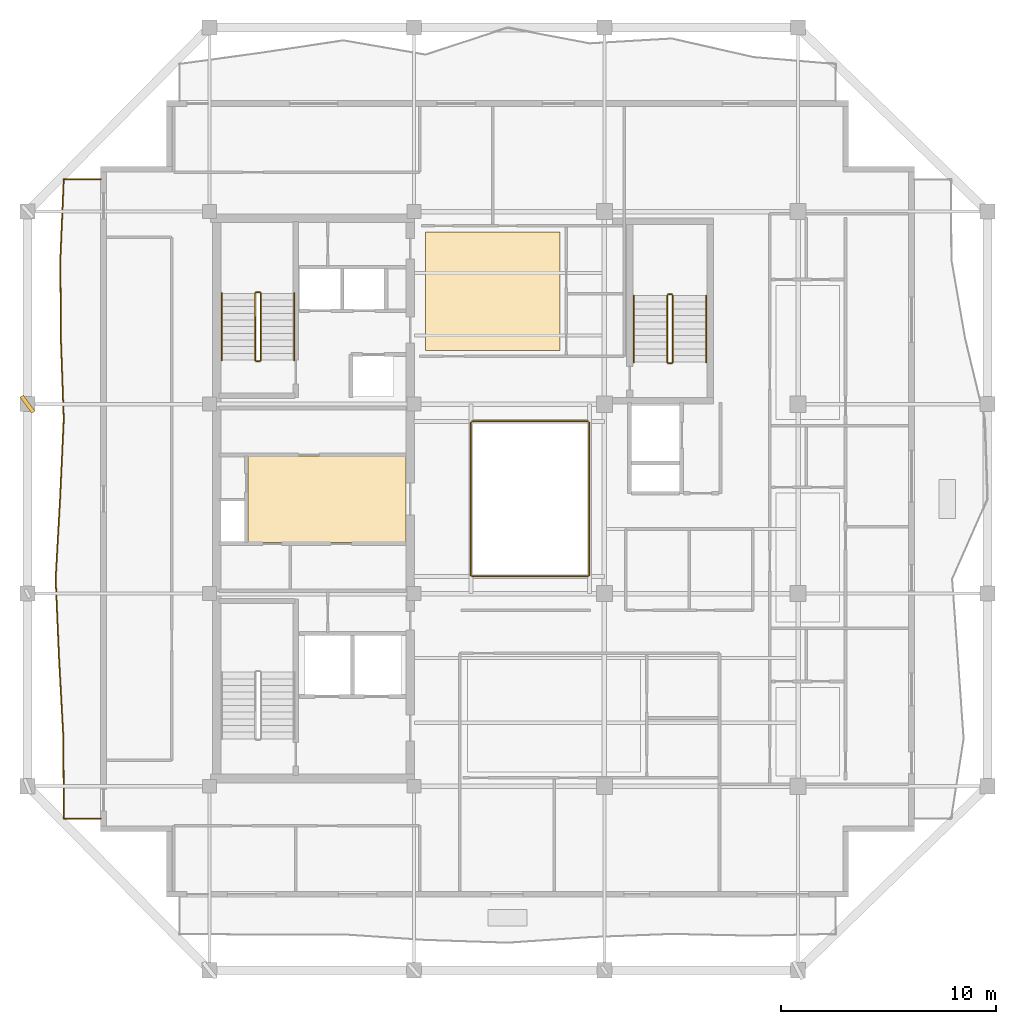
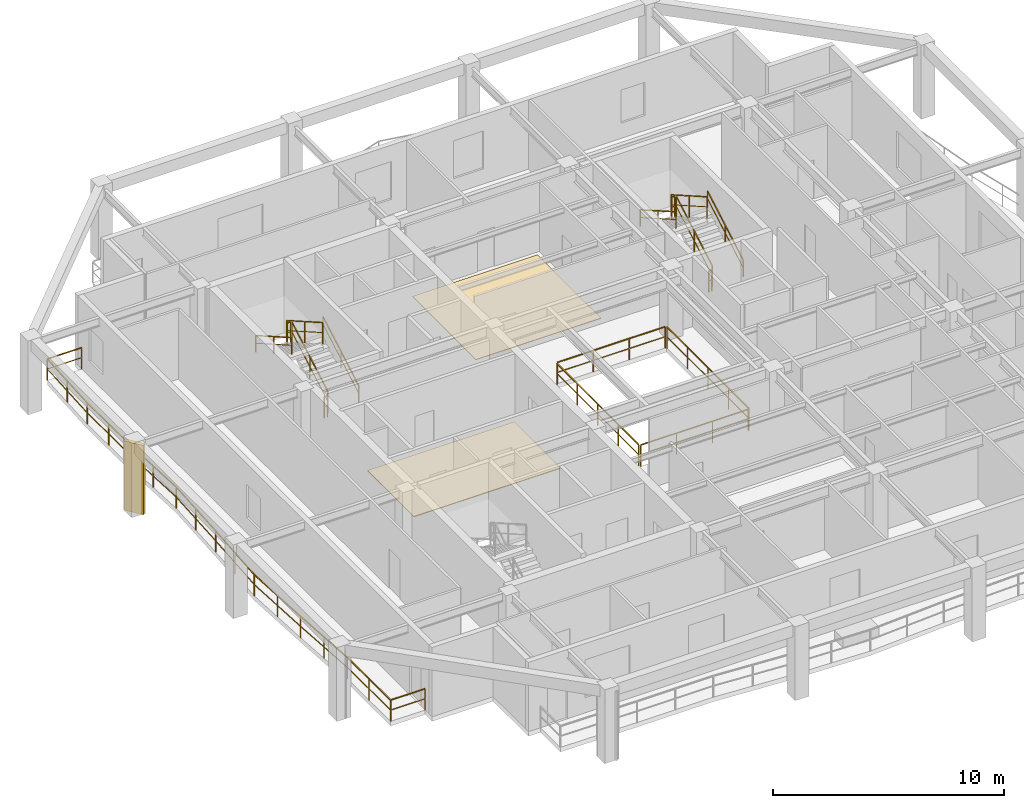
# One storey, part 8 of 10: 17 railings, 2 coverings, 1 shading device.
"""IFC4 building model written with IfcOpenShell, lengths in metres."""

import ifcopenshell
import ifcopenshell.guid

model = None  # the IFC model being written
_history = None  # IfcOwnerHistory: only IFC2X3 demands one
_inside = {}  # id of a spatial element -> (the spatial element, [elements in it])
_under = {}  # id of a project, library or spatial element -> (it, [spatial elements below it])
_declared = {}  # id of a project -> (the project, [libraries it declares])
_typed = {}  # id of a type object -> (the type object, [elements of that type])
_made_of = {}  # id of a material, layer set ... -> (it, [elements and type objects made of it])


def new_model(schema):
    """Start an empty IFC model of exactly this schema.

    Asked for "IFC4X3", IfcOpenShell would pick the latest addendum, in which some entities
    have other attributes; the version numbers below select the first issue.
    IFC2X3 requires an IfcOwnerHistory on every rooted entity: one is made here for all.
    """
    global model, _history
    if schema == "IFC4X3":
        model = ifcopenshell.file(schema_version=(4, 3, 0, 0))
    else:
        model = ifcopenshell.file(schema=schema)
    _inside.clear()
    _under.clear()
    _declared.clear()
    _typed.clear()
    _made_of.clear()
    _history = None
    if model.schema == "IFC2X3":
        org = make("IfcOrganization", Name="unknown")
        user = make(
            "IfcPersonAndOrganization",
            ThePerson=make("IfcPerson", FamilyName="unknown"),
            TheOrganization=org,
        )
        app = make(
            "IfcApplication",
            ApplicationDeveloper=org,
            Version="unknown",
            ApplicationFullName="unknown",
            ApplicationIdentifier="unknown",
        )
        _history = make(
            "IfcOwnerHistory",
            OwningUser=user,
            OwningApplication=app,
            ChangeAction="ADDED",
            CreationDate=0,
        )
    return model


def make(cls, **values):
    """One entity of the class cls with the attributes given. An attribute that is None is left unset."""
    return model.create_entity(
        cls, **{name: value for name, value in values.items() if value is not None}
    )


def rooted(cls, **values):
    """An entity with a GlobalId (a new one), such as an element, a storey or a relation."""
    return make(cls, GlobalId=ifcopenshell.guid.new(), OwnerHistory=_history, **values)


def si_unit(unit_type, name, prefix=None):
    """IfcSIUnit, for example si_unit("LENGTHUNIT", "METRE", prefix="MILLI")."""
    return make("IfcSIUnit", UnitType=unit_type, Prefix=prefix, Name=name)


def assignment(units):
    """IfcUnitAssignment: the units of a project."""
    return None if units is None else make("IfcUnitAssignment", Units=units)


def point(xyz):
    """IfcCartesianPoint."""
    return None if xyz is None else make("IfcCartesianPoint", Coordinates=xyz)


def direction(xyz):
    """IfcDirection."""
    return None if xyz is None else make("IfcDirection", DirectionRatios=xyz)


def frame(location, z_axis=None, x_axis=None):
    """IfcAxis2Placement3D, a coordinate frame: its origin and axes. An axis left out is left unset."""
    return make(
        "IfcAxis2Placement3D",
        Location=point(location),
        Axis=direction(z_axis),
        RefDirection=direction(x_axis),
    )


def frame_2d(location, x_axis=None):
    """IfcAxis2Placement2D, a coordinate frame in the plane: its origin and x axis."""
    return make(
        "IfcAxis2Placement2D", Location=point(location), RefDirection=direction(x_axis)
    )


def origin():
    """The frame at (0, 0, 0) with its axes left unset."""
    return frame((0.0, 0.0, 0.0))


def origin_2d():
    """The frame at (0, 0) in the plane with its x axis left unset."""
    return frame_2d((0.0, 0.0))


def place(relative_to, where):
    """IfcLocalPlacement: puts the frame where relative to a parent placement (None: the world)."""
    return make(
        "IfcLocalPlacement", PlacementRelTo=relative_to, RelativePlacement=where
    )


def context(
    kind, dimensions, precision=None, world=None, true_north=None, identifier=None
):
    """IfcGeometricRepresentationContext, for example the 3D "Model" context."""
    return make(
        "IfcGeometricRepresentationContext",
        ContextIdentifier=identifier,
        ContextType=kind,
        CoordinateSpaceDimension=dimensions,
        Precision=precision,
        WorldCoordinateSystem=world,
        TrueNorth=true_north,
    )


def subcontext(parent, identifier, kind, view, scale=None):
    """IfcGeometricRepresentationSubContext, for example "Body" below "Model"."""
    return make(
        "IfcGeometricRepresentationSubContext",
        ContextIdentifier=identifier,
        ContextType=kind,
        ParentContext=parent,
        TargetScale=scale,
        TargetView=view,
    )


def project(units=None, contexts=None):
    """IfcProject with its units and contexts."""
    return rooted(
        "IfcProject",
        Name="project",
        RepresentationContexts=contexts,
        UnitsInContext=assignment(units),
    )


def spatial(cls, under=None, at=None, **own):
    """A site, building, storey or space (cls), placed at a placement, below another one or the project."""
    s = rooted(cls, ObjectPlacement=at, **own)
    if under is not None:
        _under.setdefault(under.id(), (under, []))[1].append(s)
    return s


def polyline(points):
    """IfcPolyline through the points."""
    return make("IfcPolyline", Points=[point(p) for p in points])


def profile(cls, at=None, kind="AREA", **sizes):
    """A parametric profile (cls). Its sizes go by their IFC names, for example OverallWidth=200.0."""
    return make(cls, ProfileType=kind, Position=at, **sizes)


def rectangle(**sizes):
    """IfcRectangleProfileDef."""
    return profile("IfcRectangleProfileDef", **sizes)


def outline(outer, holes=None, kind="AREA"):
    """IfcArbitraryClosedProfileDef: a profile drawn as a closed curve; with holes, ...WithVoids."""
    if holes is None:
        return make("IfcArbitraryClosedProfileDef", ProfileType=kind, OuterCurve=outer)
    return make(
        "IfcArbitraryProfileDefWithVoids",
        ProfileType=kind,
        OuterCurve=outer,
        InnerCurves=holes,
    )


def extrude(swept, where, along, depth):
    """IfcExtrudedAreaSolid: the profile swept, set in the frame where, extruded along a direction by depth."""
    return make(
        "IfcExtrudedAreaSolid",
        SweptArea=swept,
        Position=where,
        ExtrudedDirection=direction(along),
        Depth=depth,
    )


def shape(context_of_items, identifier, shape_type, items):
    """IfcShapeRepresentation: the items that make up one representation, for example the "Body"."""
    return make(
        "IfcShapeRepresentation",
        ContextOfItems=context_of_items,
        RepresentationIdentifier=identifier,
        RepresentationType=shape_type,
        Items=items,
    )


def material(Name=None, Category=None):
    """IfcMaterial."""
    return make("IfcMaterial", Name=Name, Category=Category)


def layer(
    of_material, thickness, ventilated=None, Name=None, Category=None, Priority=None
):
    """IfcMaterialLayer: one layer of a wall or slab, of a material (None: an air gap)."""
    return make(
        "IfcMaterialLayer",
        Material=of_material,
        LayerThickness=thickness,
        IsVentilated=ventilated,
        Name=Name,
        Category=Category,
        Priority=Priority,
    )


def layer_set(layers, Name=None):
    """IfcMaterialLayerSet."""
    return make("IfcMaterialLayerSet", MaterialLayers=layers, LayerSetName=Name)


def made_of(thing, what):
    """Note that an element or type object is made of a material, layer set ...; save() writes the relation."""
    if what is not None:
        _made_of.setdefault(what.id(), (what, []))[1].append(thing)
    return thing


def type_object(cls, material=None, **own):
    """A type object (cls), such as IfcWallType, which elements share."""
    return made_of(rooted(cls, **own), material)


def element(
    cls,
    number,
    at=None,
    inside=None,
    cuts=None,
    type_object=None,
    material=None,
    context=None,
    identifier="Body",
    shape_type=None,
    held_by="IfcProductDefinitionShape",
    body=None,
    shapes=None,
    **own,
):
    """One element of the class cls, such as IfcWall. Its Tag is "e" and its number.

    at: its placement. inside: the storey or other place that contains it. cuts: it is an
    opening in that element (IfcRelVoidsElement). A single representation is given by context,
    identifier, shape_type and body (its items); several are given by shapes. held_by: the class
    of the entity that holds the representations. save() writes the other relations.
    """
    e = rooted(cls, Tag="e%d" % number, ObjectPlacement=at, **own)
    if body is not None:
        shapes = [shape(context, identifier, shape_type, body)]
    if shapes is not None:
        e.Representation = make(held_by, Representations=shapes)
    if inside is not None:
        _inside.setdefault(inside.id(), (inside, []))[1].append(e)
    if cuts is not None:
        rooted(
            "IfcRelVoidsElement", RelatingBuildingElement=cuts, RelatedOpeningElement=e
        )
    if type_object is not None:
        _typed.setdefault(type_object.id(), (type_object, []))[1].append(e)
    return made_of(e, material)


def aggregate(whole, parts):
    """IfcRelAggregates: a whole, such as a stair, and the parts it consists of."""
    return rooted("IfcRelAggregates", RelatingObject=whole, RelatedObjects=parts)


def save(model, path):
    """Write the relations noted so far, then the file.

    IfcRelAggregates (storeys below a building ...), IfcRelContainedInSpatialStructure (elements
    in a storey), IfcRelDefinesByType, IfcRelAssociatesMaterial and IfcRelDeclares: one each for
    every whole, place, type object, material and project.
    """
    for whole, parts in _under.values():
        aggregate(whole, parts)
    for where, things in _inside.values():
        rooted(
            "IfcRelContainedInSpatialStructure",
            RelatedElements=things,
            RelatingStructure=where,
        )
    for kind, things in _typed.values():
        rooted("IfcRelDefinesByType", RelatedObjects=things, RelatingType=kind)
    for what, things in _made_of.values():
        rooted("IfcRelAssociatesMaterial", RelatedObjects=things, RelatingMaterial=what)
    for by, libraries in _declared.values():
        rooted("IfcRelDeclares", RelatingContext=by, RelatedDefinitions=libraries)
    model.write(path)


model = new_model("IFC4")

# Units and contexts
model_context = context("Model", 3, precision=1e-05, world=origin(), true_north=direction((0.0, 1.0)))
body_context = subcontext(model_context, "Body", "Model", "MODEL_VIEW")
ifc_project = project(units=[si_unit("LENGTHUNIT", "METRE"), si_unit("AREAUNIT", "SQUARE_METRE"), si_unit("VOLUMEUNIT", "CUBIC_METRE"), si_unit("PLANEANGLEUNIT", "RADIAN"), si_unit("MASSUNIT", "GRAM", prefix="KILO")], contexts=[model_context])

# Site, building, storey
site_placement = place(None, origin())
site = spatial("IfcSite", under=ifc_project, at=site_placement, CompositionType="ELEMENT")
building_placement = place(site_placement, origin())
building = spatial("IfcBuilding", under=site, at=building_placement, Name="Kundavana Baori Tower", CompositionType="ELEMENT")
storey_placement = place(building_placement, frame((0.0, 0.0, 288.199951171875)))
storey = spatial("IfcBuildingStorey", under=building, at=storey_placement, Name="L71", CompositionType="ELEMENT", Elevation=288.199951171875)

# Coverings
ifc_material_1 = material(Name="Honed Kota Stone and Terrazzo Flooring", Category="masonry")
ifc_layer_1 = layer(ifc_material_1, 0.0400390625, Name="COV-FLR-TERR-40")
ifc_layer_set_1 = layer_set([ifc_layer_1], Name="Honed Kota Stone and Terrazzo Flooring")
covering_type_1 = type_object("IfcCoveringType", Name="COV-FLR-TERR-40", PredefinedType="FLOORING", material=ifc_layer_set_1)
covering_1_placement = place(storey_placement, origin())
element("IfcCovering", 1, at=covering_1_placement, inside=storey, type_object=covering_type_1, Name="L71 Core Lift Lobby Kota Stone Flooring", PredefinedType="FLOORING", context=body_context, shape_type="SweptSolid", body=[
    extrude(outline(polyline([(17.25, 26.580078125), (24.580078125, 26.580078125), (24.580078125, 30.60009765625), (17.25, 30.60009765625), (17.25, 26.580078125)])), origin(), (0.0, 0.0, 1.0), 0.0400390625),
])
ifc_material_2 = material(Name="Honed Kota Stone and Terrazzo Flooring", Category="masonry")
ifc_layer_2 = layer(ifc_material_2, 0.030029296875, Name="COV-INT-FLR")
ifc_layer_set_2 = layer_set([ifc_layer_2], Name="Honed Kota Stone and Terrazzo Flooring")
covering_type_2 = type_object("IfcCoveringType", Name="COV-INT-FLR", PredefinedType="FLOORING", material=ifc_layer_set_2)
covering_2_placement = place(storey_placement, origin())
element("IfcCovering", 2, at=covering_2_placement, inside=storey, type_object=covering_type_2, Name="L71 Room Finished Stone Flooring 2", PredefinedType="FLOORING", context=body_context, shape_type="SweptSolid", body=[
    extrude(outline(polyline([(25.5, 35.5), (31.75, 35.5), (31.75, 41.010009765625), (25.5, 41.010009765625), (25.5, 35.5)])), origin(), (0.0, 0.0, 1.0), 0.030029296875),
])

# Railings
ifc_material_3 = material(Name="Architectural Patinated Bronze Metalwork")
railing_type_1 = type_object("IfcRailingType", Name="RL-BAL-1150", PredefinedType="BALUSTRADE", material=ifc_material_3)
railing_1_placement = place(storey_placement, frame((10.39990234375, 13.75, 0.0)))
element("IfcRailing", 3, at=railing_1_placement, inside=storey, type_object=railing_type_1, Name="L71 Loggia Balcony Balustrade W", PredefinedType="BALUSTRADE", context=body_context, shape_type="SweptSolid", body=[
    extrude(rectangle(XDim=0.048095703125, YDim=0.048095703125, at=origin_2d()), frame((0.0, 0.0, 1.1259765625), z_axis=(-1.0, 0.0, 0.0), x_axis=(0.0, -1.0, 0.0)), (0.0, 0.0, 1.0), 1.719970703125),
    extrude(rectangle(XDim=0.03125, YDim=0.03125, at=origin_2d()), frame((0.0, 0.0, 0.597900390625), z_axis=(-1.0, 0.0, 0.0), x_axis=(0.0, -1.0, 0.0)), (0.0, 0.0, 1.0), 1.719970703125),
    extrude(rectangle(XDim=0.048095703125, YDim=0.048095703125, at=origin_2d()), frame((-1.719970703125, 0.0, 1.1259765625), z_axis=(-0.00427515167, 0.999990861497, 0.0), x_axis=(-0.999990861497, -0.00427515167, 0.0)), (0.0, 0.0, 1.0), 3.7119140625),
    extrude(rectangle(XDim=0.03125, YDim=0.03125, at=origin_2d()), frame((-1.719970703125, 0.0, 0.597900390625), z_axis=(-0.00427515167, 0.999990861497, 0.0), x_axis=(-0.999990861497, -0.00427515167, 0.0)), (0.0, 0.0, 1.0), 3.7119140625),
    extrude(rectangle(XDim=0.048095703125, YDim=0.048095703125, at=origin_2d()), frame((-1.73583984375, 3.7119140625, 1.1259765625), z_axis=(-0.054360949315, 0.998521350392, 0.0), x_axis=(-0.998521350392, -0.054360949315, 0.0)), (0.0, 0.0, 1.0), 3.71875),
    extrude(rectangle(XDim=0.03125, YDim=0.03125, at=origin_2d()), frame((-1.73583984375, 3.7119140625, 0.597900390625), z_axis=(-0.054360949315, 0.998521350392, 0.0), x_axis=(-0.998521350392, -0.054360949315, 0.0)), (0.0, 0.0, 1.0), 3.71875),
    extrude(rectangle(XDim=0.048095703125, YDim=0.048095703125, at=origin_2d()), frame((-1.93798828125, 7.425048828125, 1.1259765625), z_axis=(-0.042767252478, 0.999085062502, 0.0), x_axis=(-0.999085062502, -0.042767252478, 0.0)), (0.0, 0.0, 1.0), 3.71630859375),
    extrude(rectangle(XDim=0.03125, YDim=0.03125, at=origin_2d()), frame((-1.93798828125, 7.425048828125, 0.597900390625), z_axis=(-0.042767252478, 0.999085062502, 0.0), x_axis=(-0.999085062502, -0.042767252478, 0.0)), (0.0, 0.0, 1.0), 3.71630859375),
    extrude(rectangle(XDim=0.048095703125, YDim=0.048095703125, at=origin_2d()), frame((-2.096923828125, 11.137939453125, 1.1259765625), z_axis=(0.055684593954, 0.998448409281, 0.0), x_axis=(-0.998448409281, 0.055684593954, 0.0)), (0.0, 0.0, 1.0), 3.718017578125),
    extrude(rectangle(XDim=0.03125, YDim=0.03125, at=origin_2d()), frame((-2.096923828125, 11.137939453125, 0.597900390625), z_axis=(0.055684593954, 0.998448409281, 0.0), x_axis=(-0.998448409281, 0.055684593954, 0.0)), (0.0, 0.0, 1.0), 3.718017578125),
    extrude(rectangle(XDim=0.048095703125, YDim=0.048095703125, at=origin_2d()), frame((-1.889892578125, 14.85009765625, 1.1259765625), z_axis=(0.045729537281, 0.998953857503, 0.0), x_axis=(-0.998953857503, 0.045729537281, 0.0)), (0.0, 0.0, 1.0), 3.7158203125),
    extrude(rectangle(XDim=0.03125, YDim=0.03125, at=origin_2d()), frame((-1.889892578125, 14.85009765625, 0.597900390625), z_axis=(0.045729537281, 0.998953857503, 0.0), x_axis=(-0.998953857503, 0.045729537281, 0.0)), (0.0, 0.0, 1.0), 3.7158203125),
    extrude(rectangle(XDim=0.048095703125, YDim=0.048095703125, at=origin_2d()), frame((-1.719970703125, 18.56201171875, 1.1259765625), z_axis=(-0.035747783994, 0.999360843709, 0.0), x_axis=(-0.999360843709, -0.035747783994, 0.0)), (0.0, 0.0, 1.0), 3.71533203125),
    extrude(rectangle(XDim=0.03125, YDim=0.03125, at=origin_2d()), frame((-1.719970703125, 18.56201171875, 0.597900390625), z_axis=(-0.035747783994, 0.999360843709, 0.0), x_axis=(-0.999360843709, -0.035747783994, 0.0)), (0.0, 0.0, 1.0), 3.71533203125),
    extrude(rectangle(XDim=0.048095703125, YDim=0.048095703125, at=origin_2d()), frame((-1.852783203125, 22.27490234375, 1.1259765625), z_axis=(-0.006772150574, 0.999977068725, 0.0), x_axis=(-0.999977068725, -0.006772150574, 0.0)), (0.0, 0.0, 1.0), 3.713134765625),
    extrude(rectangle(XDim=0.03125, YDim=0.03125, at=origin_2d()), frame((-1.852783203125, 22.27490234375, 0.597900390625), z_axis=(-0.006772150574, 0.999977068725, 0.0), x_axis=(-0.999977068725, -0.006772150574, 0.0)), (0.0, 0.0, 1.0), 3.713134765625),
    extrude(rectangle(XDim=0.048095703125, YDim=0.048095703125, at=origin_2d()), frame((-1.8779296875, 25.988037109375, 1.1259765625), z_axis=(0.04251611224, 0.999095781294, 0.0), x_axis=(-0.999095781294, 0.04251611224, 0.0)), (0.0, 0.0, 1.0), 3.71533203125),
    extrude(rectangle(XDim=0.03125, YDim=0.03125, at=origin_2d()), frame((-1.8779296875, 25.988037109375, 0.597900390625), z_axis=(0.04251611224, 0.999095781294, 0.0), x_axis=(-0.999095781294, 0.04251611224, 0.0)), (0.0, 0.0, 1.0), 3.71533203125),
    extrude(rectangle(XDim=0.048095703125, YDim=0.048095703125, at=origin_2d()), frame((-1.719970703125, 29.699951171875, 1.1259765625), z_axis=(1.0, 0.0, 0.0), x_axis=(0.0, 1.0, 0.0)), (0.0, 0.0, 1.0), 1.719970703125),
    extrude(rectangle(XDim=0.03125, YDim=0.03125, at=origin_2d()), frame((-1.719970703125, 29.699951171875, 0.597900390625), z_axis=(1.0, 0.0, 0.0), x_axis=(0.0, 1.0, 0.0)), (0.0, 0.0, 1.0), 1.719970703125),
    extrude(rectangle(XDim=0.0419921875, YDim=0.0419921875, at=origin_2d()), origin(), (0.0, 0.0, 1.0), 1.101806640625),
    extrude(rectangle(XDim=0.0419921875, YDim=0.0419921875, at=origin_2d()), frame((-1.719970703125, 0.0, 0.0)), (0.0, 0.0, 1.0), 1.101806640625),
    extrude(rectangle(XDim=0.0419921875, YDim=0.0419921875, at=origin_2d()), frame((-1.72802734375, 1.85595703125, 0.0)), (0.0, 0.0, 1.0), 1.101806640625),
    extrude(rectangle(XDim=0.0419921875, YDim=0.0419921875, at=origin_2d()), frame((-1.73583984375, 3.7119140625, 0.0)), (0.0, 0.0, 1.0), 1.101806640625),
    extrude(rectangle(XDim=0.0419921875, YDim=0.0419921875, at=origin_2d()), frame((-1.8369140625, 5.568359375, 0.0)), (0.0, 0.0, 1.0), 1.101806640625),
    extrude(rectangle(XDim=0.0419921875, YDim=0.0419921875, at=origin_2d()), frame((-1.93798828125, 7.425048828125, 0.0)), (0.0, 0.0, 1.0), 1.101806640625),
    extrude(rectangle(XDim=0.0419921875, YDim=0.0419921875, at=origin_2d()), frame((-2.017578125, 9.281494140625, 0.0)), (0.0, 0.0, 1.0), 1.101806640625),
    extrude(rectangle(XDim=0.0419921875, YDim=0.0419921875, at=origin_2d()), frame((-2.096923828125, 11.137939453125, 0.0)), (0.0, 0.0, 1.0), 1.101806640625),
    extrude(rectangle(XDim=0.0419921875, YDim=0.0419921875, at=origin_2d()), frame((-1.993408203125, 12.994140625, 0.0)), (0.0, 0.0, 1.0), 1.101806640625),
    extrude(rectangle(XDim=0.0419921875, YDim=0.0419921875, at=origin_2d()), frame((-1.889892578125, 14.85009765625, 0.0)), (0.0, 0.0, 1.0), 1.101806640625),
    extrude(rectangle(XDim=0.0419921875, YDim=0.0419921875, at=origin_2d()), frame((-1.804931640625, 16.7060546875, 0.0)), (0.0, 0.0, 1.0), 1.101806640625),
    extrude(rectangle(XDim=0.0419921875, YDim=0.0419921875, at=origin_2d()), frame((-1.719970703125, 18.56201171875, 0.0)), (0.0, 0.0, 1.0), 1.101806640625),
    extrude(rectangle(XDim=0.0419921875, YDim=0.0419921875, at=origin_2d()), frame((-1.786376953125, 20.41845703125, 0.0)), (0.0, 0.0, 1.0), 1.101806640625),
    extrude(rectangle(XDim=0.0419921875, YDim=0.0419921875, at=origin_2d()), frame((-1.852783203125, 22.27490234375, 0.0)), (0.0, 0.0, 1.0), 1.101806640625),
    extrude(rectangle(XDim=0.0419921875, YDim=0.0419921875, at=origin_2d()), frame((-1.865234375, 24.13134765625, 0.0)), (0.0, 0.0, 1.0), 1.101806640625),
    extrude(rectangle(XDim=0.0419921875, YDim=0.0419921875, at=origin_2d()), frame((-1.8779296875, 25.988037109375, 0.0)), (0.0, 0.0, 1.0), 1.101806640625),
    extrude(rectangle(XDim=0.0419921875, YDim=0.0419921875, at=origin_2d()), frame((-1.798828125, 27.843994140625, 0.0)), (0.0, 0.0, 1.0), 1.101806640625),
    extrude(rectangle(XDim=0.0419921875, YDim=0.0419921875, at=origin_2d()), frame((-1.719970703125, 29.699951171875, 0.0)), (0.0, 0.0, 1.0), 1.101806640625),
    extrude(rectangle(XDim=0.0419921875, YDim=0.0419921875, at=origin_2d()), frame((0.0, 29.699951171875, 0.0)), (0.0, 0.0, 1.0), 1.101806640625),
])
ifc_material_4 = material(Name="Architectural Patinated Bronze Metalwork")
railing_type_2 = type_object("IfcRailingType", Name="RL-GRD-1150", PredefinedType="GUARDRAIL", material=ifc_material_4)
railing_2_placement = place(storey_placement, frame((17.840087890625, 35.050048828125, 0.17724609375)))
element("IfcRailing", 4, at=railing_2_placement, inside=storey, type_object=railing_type_2, Name="L71 ST2 stair guard 1", PredefinedType="GUARDRAIL", context=body_context, shape_type="SweptSolid", body=[
    extrude(rectangle(XDim=0.048095703125, YDim=0.048095703125, at=origin_2d()), frame((0.0, 0.0, 1.1259765625), z_axis=(0.0, 0.868079009454, 0.496426060301), x_axis=(-1.0, 0.0, 0.0)), (0.0, 0.0, 1.0), 3.571044921875),
    extrude(rectangle(XDim=0.03125, YDim=0.03125, at=origin_2d()), frame((0.0, 0.0, 0.597900390625), z_axis=(0.0, 0.868079009454, 0.496426060301), x_axis=(-1.0, 0.0, 0.0)), (0.0, 0.0, 1.0), 3.571044921875),
    extrude(rectangle(XDim=0.0419921875, YDim=0.0419921875, at=origin_2d()), origin(), (0.0, 0.0, 1.0), 1.101806640625),
    extrude(rectangle(XDim=0.0419921875, YDim=0.0419921875, at=origin_2d()), frame((0.0, 1.5498046875, 0.88623046875)), (0.0, 0.0, 1.0), 1.101806640625),
    extrude(rectangle(XDim=0.0419921875, YDim=0.0419921875, at=origin_2d()), frame((0.0, 3.099853515625, 1.772705078125)), (0.0, 0.0, 1.0), 1.101806640625),
])
railing_3_placement = place(storey_placement, frame((17.7900390625, 38.199951171875, 1.949951171875)))
element("IfcRailing", 5, at=railing_3_placement, inside=storey, type_object=railing_type_2, Name="L71 ST2 stair guard 2", PredefinedType="GUARDRAIL", context=body_context, shape_type="SweptSolid", body=[
    extrude(rectangle(XDim=0.048095703125, YDim=0.048095703125, at=origin_2d()), frame((0.0, 0.0, 1.1259765625), z_axis=(-1.0, 0.0, 0.0), x_axis=(0.0, -1.0, 0.0)), (0.0, 0.0, 1.0), 0.16015625),
    extrude(rectangle(XDim=0.03125, YDim=0.03125, at=origin_2d()), frame((0.0, 0.0, 0.597900390625), z_axis=(-1.0, 0.0, 0.0), x_axis=(0.0, -1.0, 0.0)), (0.0, 0.0, 1.0), 0.16015625),
    extrude(rectangle(XDim=0.0419921875, YDim=0.0419921875, at=origin_2d()), origin(), (0.0, 0.0, 1.0), 1.101806640625),
    extrude(rectangle(XDim=0.0419921875, YDim=0.0419921875, at=origin_2d()), frame((-0.16015625, 0.0, 0.0)), (0.0, 0.0, 1.0), 1.101806640625),
])
railing_4_placement = place(storey_placement, frame((17.580078125, 38.14990234375, 2.12744140625)))
element("IfcRailing", 6, at=railing_4_placement, inside=storey, type_object=railing_type_2, Name="L71 ST2 stair guard 3", PredefinedType="GUARDRAIL", context=body_context, shape_type="SweptSolid", body=[
    extrude(rectangle(XDim=0.048095703125, YDim=0.048095703125, at=origin_2d()), frame((0.0, 0.0, 1.1259765625), z_axis=(0.0, -0.868079009454, 0.496426060301), x_axis=(1.0, 0.0, 0.0)), (0.0, 0.0, 1.0), 3.571044921875),
    extrude(rectangle(XDim=0.03125, YDim=0.03125, at=origin_2d()), frame((0.0, 0.0, 0.597900390625), z_axis=(0.0, -0.868079009454, 0.496426060301), x_axis=(1.0, 0.0, 0.0)), (0.0, 0.0, 1.0), 3.571044921875),
    extrude(rectangle(XDim=0.0419921875, YDim=0.0419921875, at=origin_2d()), origin(), (0.0, 0.0, 1.0), 1.101806640625),
    extrude(rectangle(XDim=0.0419921875, YDim=0.0419921875, at=origin_2d()), frame((0.0, -1.5498046875, 0.88623046875)), (0.0, 0.0, 1.0), 1.101806640625),
    extrude(rectangle(XDim=0.0419921875, YDim=0.0419921875, at=origin_2d()), frame((0.0, -3.099853515625, 1.772705078125)), (0.0, 0.0, 1.0), 1.101806640625),
])
railing_5_placement = place(storey_placement, frame((17.7900390625, 35.0, 0.0)))
element("IfcRailing", 7, at=railing_5_placement, inside=storey, type_object=railing_type_2, Name="L71 ST2 stair guard 4", PredefinedType="GUARDRAIL", context=body_context, shape_type="SweptSolid", body=[
    extrude(rectangle(XDim=0.048095703125, YDim=0.048095703125, at=origin_2d()), frame((0.0, 0.0, 1.1259765625), z_axis=(-1.0, 0.0, 0.0), x_axis=(0.0, -1.0, 0.0)), (0.0, 0.0, 1.0), 0.16015625),
    extrude(rectangle(XDim=0.03125, YDim=0.03125, at=origin_2d()), frame((0.0, 0.0, 0.597900390625), z_axis=(-1.0, 0.0, 0.0), x_axis=(0.0, -1.0, 0.0)), (0.0, 0.0, 1.0), 0.16015625),
    extrude(rectangle(XDim=0.0419921875, YDim=0.0419921875, at=origin_2d()), origin(), (0.0, 0.0, 1.0), 1.101806640625),
    extrude(rectangle(XDim=0.0419921875, YDim=0.0419921875, at=origin_2d()), frame((-0.16015625, 0.0, 0.0)), (0.0, 0.0, 1.0), 1.101806640625),
])
railing_6_placement = place(storey_placement, frame((36.97998046875, 34.949951171875, 0.17724609375)))
element("IfcRailing", 8, at=railing_6_placement, inside=storey, type_object=railing_type_2, Name="L71 ST3 stair guard 1", PredefinedType="GUARDRAIL", context=body_context, shape_type="SweptSolid", body=[
    extrude(rectangle(XDim=0.048095703125, YDim=0.048095703125, at=origin_2d()), frame((0.0, 0.0, 1.1259765625), z_axis=(0.0, 0.868095856688, 0.496396599103), x_axis=(-1.0, 0.0, 0.0)), (0.0, 0.0, 1.0), 3.571044921875),
    extrude(rectangle(XDim=0.03125, YDim=0.03125, at=origin_2d()), frame((0.0, 0.0, 0.597900390625), z_axis=(0.0, 0.868095856688, 0.496396599103), x_axis=(-1.0, 0.0, 0.0)), (0.0, 0.0, 1.0), 3.571044921875),
    extrude(rectangle(XDim=0.0419921875, YDim=0.0419921875, at=origin_2d()), origin(), (0.0, 0.0, 1.0), 1.101806640625),
    extrude(rectangle(XDim=0.0419921875, YDim=0.0419921875, at=origin_2d()), frame((0.0, 1.550048828125, 0.88623046875)), (0.0, 0.0, 1.0), 1.101806640625),
    extrude(rectangle(XDim=0.0419921875, YDim=0.0419921875, at=origin_2d()), frame((0.0, 3.10009765625, 1.772705078125)), (0.0, 0.0, 1.0), 1.101806640625),
])
railing_7_placement = place(storey_placement, frame((36.929931640625, 38.10009765625, 1.949951171875)))
element("IfcRailing", 9, at=railing_7_placement, inside=storey, type_object=railing_type_2, Name="L71 ST3 stair guard 2", PredefinedType="GUARDRAIL", context=body_context, shape_type="SweptSolid", body=[
    extrude(rectangle(XDim=0.048095703125, YDim=0.048095703125, at=origin_2d()), frame((0.0, 0.0, 1.1259765625), z_axis=(-1.0, 0.0, 0.0), x_axis=(0.0, -1.0, 0.0)), (0.0, 0.0, 1.0), 0.159912109375),
    extrude(rectangle(XDim=0.03125, YDim=0.03125, at=origin_2d()), frame((0.0, 0.0, 0.597900390625), z_axis=(-1.0, 0.0, 0.0), x_axis=(0.0, -1.0, 0.0)), (0.0, 0.0, 1.0), 0.159912109375),
    extrude(rectangle(XDim=0.0419921875, YDim=0.0419921875, at=origin_2d()), origin(), (0.0, 0.0, 1.0), 1.101806640625),
    extrude(rectangle(XDim=0.0419921875, YDim=0.0419921875, at=origin_2d()), frame((-0.159912109375, 0.0, 0.0)), (0.0, 0.0, 1.0), 1.101806640625),
])
railing_8_placement = place(storey_placement, frame((36.719970703125, 38.050048828125, 2.12744140625)))
element("IfcRailing", 10, at=railing_8_placement, inside=storey, type_object=railing_type_2, Name="L71 ST3 stair guard 3", PredefinedType="GUARDRAIL", context=body_context, shape_type="SweptSolid", body=[
    extrude(rectangle(XDim=0.048095703125, YDim=0.048095703125, at=origin_2d()), frame((0.0, 0.0, 1.1259765625), z_axis=(0.0, -0.868095856688, 0.496396599103), x_axis=(1.0, 0.0, 0.0)), (0.0, 0.0, 1.0), 3.571044921875),
    extrude(rectangle(XDim=0.03125, YDim=0.03125, at=origin_2d()), frame((0.0, 0.0, 0.597900390625), z_axis=(0.0, -0.868095856688, 0.496396599103), x_axis=(1.0, 0.0, 0.0)), (0.0, 0.0, 1.0), 3.571044921875),
    extrude(rectangle(XDim=0.0419921875, YDim=0.0419921875, at=origin_2d()), origin(), (0.0, 0.0, 1.0), 1.101806640625),
    extrude(rectangle(XDim=0.0419921875, YDim=0.0419921875, at=origin_2d()), frame((0.0, -1.550048828125, 0.88623046875)), (0.0, 0.0, 1.0), 1.101806640625),
    extrude(rectangle(XDim=0.0419921875, YDim=0.0419921875, at=origin_2d()), frame((0.0, -3.10009765625, 1.772705078125)), (0.0, 0.0, 1.0), 1.101806640625),
])
railing_9_placement = place(storey_placement, frame((36.929931640625, 34.89990234375, 0.0)))
element("IfcRailing", 11, at=railing_9_placement, inside=storey, type_object=railing_type_2, Name="L71 ST3 stair guard 4", PredefinedType="GUARDRAIL", context=body_context, shape_type="SweptSolid", body=[
    extrude(rectangle(XDim=0.048095703125, YDim=0.048095703125, at=origin_2d()), frame((0.0, 0.0, 1.1259765625), z_axis=(-1.0, 0.0, 0.0), x_axis=(0.0, -1.0, 0.0)), (0.0, 0.0, 1.0), 0.159912109375),
    extrude(rectangle(XDim=0.03125, YDim=0.03125, at=origin_2d()), frame((0.0, 0.0, 0.597900390625), z_axis=(-1.0, 0.0, 0.0), x_axis=(0.0, -1.0, 0.0)), (0.0, 0.0, 1.0), 0.159912109375),
    extrude(rectangle(XDim=0.0419921875, YDim=0.0419921875, at=origin_2d()), origin(), (0.0, 0.0, 1.0), 1.101806640625),
    extrude(rectangle(XDim=0.0419921875, YDim=0.0419921875, at=origin_2d()), frame((-0.159912109375, 0.0, 0.0)), (0.0, 0.0, 1.0), 1.101806640625),
])
railing_10_placement = place(storey_placement, frame((27.659912109375, 25.0, 0.0)))
element("IfcRailing", 12, at=railing_10_placement, inside=storey, type_object=railing_type_2, Name="L71 Atrium Void Perimeter Guardrail S", PredefinedType="GUARDRAIL", context=body_context, shape_type="SweptSolid", body=[
    extrude(rectangle(XDim=0.048095703125, YDim=0.048095703125, at=origin_2d()), frame((0.0, 0.0, 1.1259765625), z_axis=(1.0, 0.0, 0.0), x_axis=(0.0, 1.0, 0.0)), (0.0, 0.0, 1.0), 5.380126953125),
    extrude(rectangle(XDim=0.03125, YDim=0.03125, at=origin_2d()), frame((0.0, 0.0, 0.597900390625), z_axis=(1.0, 0.0, 0.0), x_axis=(0.0, 1.0, 0.0)), (0.0, 0.0, 1.0), 5.380126953125),
    extrude(rectangle(XDim=0.0419921875, YDim=0.0419921875, at=origin_2d()), origin(), (0.0, 0.0, 1.0), 1.101806640625),
    extrude(rectangle(XDim=0.0419921875, YDim=0.0419921875, at=origin_2d()), frame((1.79345703125, 0.0, 0.0)), (0.0, 0.0, 1.0), 1.101806640625),
    extrude(rectangle(XDim=0.0419921875, YDim=0.0419921875, at=origin_2d()), frame((3.586669921875, 0.0, 0.0)), (0.0, 0.0, 1.0), 1.101806640625),
    extrude(rectangle(XDim=0.0419921875, YDim=0.0419921875, at=origin_2d()), frame((5.380126953125, 0.0, 0.0)), (0.0, 0.0, 1.0), 1.101806640625),
])
railing_11_placement = place(storey_placement, frame((33.10009765625, 25.06005859375, 0.0)))
element("IfcRailing", 13, at=railing_11_placement, inside=storey, type_object=railing_type_2, Name="L71 Atrium Void Perimeter Guardrail E", PredefinedType="GUARDRAIL", context=body_context, shape_type="SweptSolid", body=[
    extrude(rectangle(XDim=0.048095703125, YDim=0.048095703125, at=origin_2d()), frame((0.0, 0.0, 1.1259765625), z_axis=(0.0, 1.0, 0.0), x_axis=(-1.0, 0.0, 0.0)), (0.0, 0.0, 1.0), 7.079833984375),
    extrude(rectangle(XDim=0.03125, YDim=0.03125, at=origin_2d()), frame((0.0, 0.0, 0.597900390625), z_axis=(0.0, 1.0, 0.0), x_axis=(-1.0, 0.0, 0.0)), (0.0, 0.0, 1.0), 7.079833984375),
    extrude(rectangle(XDim=0.0419921875, YDim=0.0419921875, at=origin_2d()), origin(), (0.0, 0.0, 1.0), 1.101806640625),
    extrude(rectangle(XDim=0.0419921875, YDim=0.0419921875, at=origin_2d()), frame((0.0, 1.77001953125, 0.0)), (0.0, 0.0, 1.0), 1.101806640625),
    extrude(rectangle(XDim=0.0419921875, YDim=0.0419921875, at=origin_2d()), frame((0.0, 3.5400390625, 0.0)), (0.0, 0.0, 1.0), 1.101806640625),
    extrude(rectangle(XDim=0.0419921875, YDim=0.0419921875, at=origin_2d()), frame((0.0, 5.309814453125, 0.0)), (0.0, 0.0, 1.0), 1.101806640625),
    extrude(rectangle(XDim=0.0419921875, YDim=0.0419921875, at=origin_2d()), frame((0.0, 7.079833984375, 0.0)), (0.0, 0.0, 1.0), 1.101806640625),
])
railing_12_placement = place(storey_placement, frame((33.0400390625, 32.199951171875, 0.0)))
element("IfcRailing", 14, at=railing_12_placement, inside=storey, type_object=railing_type_2, Name="L71 Atrium Void Perimeter Guardrail N", PredefinedType="GUARDRAIL", context=body_context, shape_type="SweptSolid", body=[
    extrude(rectangle(XDim=0.048095703125, YDim=0.048095703125, at=origin_2d()), frame((0.0, 0.0, 1.1259765625), z_axis=(-1.0, 0.0, 0.0), x_axis=(0.0, -1.0, 0.0)), (0.0, 0.0, 1.0), 5.380126953125),
    extrude(rectangle(XDim=0.03125, YDim=0.03125, at=origin_2d()), frame((0.0, 0.0, 0.597900390625), z_axis=(-1.0, 0.0, 0.0), x_axis=(0.0, -1.0, 0.0)), (0.0, 0.0, 1.0), 5.380126953125),
    extrude(rectangle(XDim=0.0419921875, YDim=0.0419921875, at=origin_2d()), origin(), (0.0, 0.0, 1.0), 1.101806640625),
    extrude(rectangle(XDim=0.0419921875, YDim=0.0419921875, at=origin_2d()), frame((-1.79345703125, 0.0, 0.0)), (0.0, 0.0, 1.0), 1.101806640625),
    extrude(rectangle(XDim=0.0419921875, YDim=0.0419921875, at=origin_2d()), frame((-3.586669921875, 0.0, 0.0)), (0.0, 0.0, 1.0), 1.101806640625),
    extrude(rectangle(XDim=0.0419921875, YDim=0.0419921875, at=origin_2d()), frame((-5.380126953125, 0.0, 0.0)), (0.0, 0.0, 1.0), 1.101806640625),
])
railing_13_placement = place(storey_placement, frame((27.60009765625, 32.139892578125, 0.0)))
element("IfcRailing", 15, at=railing_13_placement, inside=storey, type_object=railing_type_2, Name="L71 Atrium Void Perimeter Guardrail W", PredefinedType="GUARDRAIL", context=body_context, shape_type="SweptSolid", body=[
    extrude(rectangle(XDim=0.048095703125, YDim=0.048095703125, at=origin_2d()), frame((0.0, 0.0, 1.1259765625), z_axis=(0.0, -1.0, 0.0), x_axis=(1.0, 0.0, 0.0)), (0.0, 0.0, 1.0), 7.079833984375),
    extrude(rectangle(XDim=0.03125, YDim=0.03125, at=origin_2d()), frame((0.0, 0.0, 0.597900390625), z_axis=(0.0, -1.0, 0.0), x_axis=(1.0, 0.0, 0.0)), (0.0, 0.0, 1.0), 7.079833984375),
    extrude(rectangle(XDim=0.0419921875, YDim=0.0419921875, at=origin_2d()), origin(), (0.0, 0.0, 1.0), 1.101806640625),
    extrude(rectangle(XDim=0.0419921875, YDim=0.0419921875, at=origin_2d()), frame((0.0, -1.77001953125, 0.0)), (0.0, 0.0, 1.0), 1.101806640625),
    extrude(rectangle(XDim=0.0419921875, YDim=0.0419921875, at=origin_2d()), frame((0.0, -3.5400390625, 0.0)), (0.0, 0.0, 1.0), 1.101806640625),
    extrude(rectangle(XDim=0.0419921875, YDim=0.0419921875, at=origin_2d()), frame((0.0, -5.309814453125, 0.0)), (0.0, 0.0, 1.0), 1.101806640625),
    extrude(rectangle(XDim=0.0419921875, YDim=0.0419921875, at=origin_2d()), frame((0.0, -7.079833984375, 0.0)), (0.0, 0.0, 1.0), 1.101806640625),
])
ifc_material_5 = material(Name="Architectural Patinated Bronze Metalwork")
railing_type_3 = type_object("IfcRailingType", Name="RL-HND-920", PredefinedType="HANDRAIL", material=ifc_material_5)
railing_14_placement = place(storey_placement, frame((19.389892578125, 35.050048828125, 0.17724609375)))
element("IfcRailing", 16, at=railing_14_placement, inside=storey, type_object=railing_type_3, Name="L71 ST2 stair handrail 1", PredefinedType="HANDRAIL", context=body_context, shape_type="SweptSolid", body=[
    extrude(rectangle(XDim=0.048095703125, YDim=0.048095703125, at=origin_2d()), frame((0.0, 0.0, 0.8759765625), z_axis=(0.0, 0.868079009454, 0.496426060301), x_axis=(-1.0, 0.0, 0.0)), (0.0, 0.0, 1.0), 3.571044921875),
    extrude(rectangle(XDim=0.03125, YDim=0.03125, at=origin_2d()), frame((0.0, 0.0, 0.468017578125), z_axis=(0.0, 0.868079009454, 0.496426060301), x_axis=(-1.0, 0.0, 0.0)), (0.0, 0.0, 1.0), 3.571044921875),
    extrude(rectangle(XDim=0.0419921875, YDim=0.0419921875, at=origin_2d()), origin(), (0.0, 0.0, 1.0), 0.851806640625),
    extrude(rectangle(XDim=0.0419921875, YDim=0.0419921875, at=origin_2d()), frame((0.0, 1.5498046875, 0.88623046875)), (0.0, 0.0, 1.0), 0.851806640625),
    extrude(rectangle(XDim=0.0419921875, YDim=0.0419921875, at=origin_2d()), frame((0.0, 3.099853515625, 1.772705078125)), (0.0, 0.0, 1.0), 0.851806640625),
])
railing_15_placement = place(storey_placement, frame((16.030029296875, 38.14990234375, 2.12744140625)))
element("IfcRailing", 17, at=railing_15_placement, inside=storey, type_object=railing_type_3, Name="L71 ST2 stair handrail 2", PredefinedType="HANDRAIL", context=body_context, shape_type="SweptSolid", body=[
    extrude(rectangle(XDim=0.048095703125, YDim=0.048095703125, at=origin_2d()), frame((0.0, 0.0, 0.8759765625), z_axis=(0.0, -0.868079009454, 0.496426060301), x_axis=(1.0, 0.0, 0.0)), (0.0, 0.0, 1.0), 3.571044921875),
    extrude(rectangle(XDim=0.03125, YDim=0.03125, at=origin_2d()), frame((0.0, 0.0, 0.468017578125), z_axis=(0.0, -0.868079009454, 0.496426060301), x_axis=(1.0, 0.0, 0.0)), (0.0, 0.0, 1.0), 3.571044921875),
    extrude(rectangle(XDim=0.0419921875, YDim=0.0419921875, at=origin_2d()), origin(), (0.0, 0.0, 1.0), 0.851806640625),
    extrude(rectangle(XDim=0.0419921875, YDim=0.0419921875, at=origin_2d()), frame((0.0, -1.5498046875, 0.88623046875)), (0.0, 0.0, 1.0), 0.851806640625),
    extrude(rectangle(XDim=0.0419921875, YDim=0.0419921875, at=origin_2d()), frame((0.0, -3.099853515625, 1.772705078125)), (0.0, 0.0, 1.0), 0.851806640625),
])
railing_16_placement = place(storey_placement, frame((38.530029296875, 34.949951171875, 0.17724609375)))
element("IfcRailing", 18, at=railing_16_placement, inside=storey, type_object=railing_type_3, Name="L71 ST3 stair handrail 1", PredefinedType="HANDRAIL", context=body_context, shape_type="SweptSolid", body=[
    extrude(rectangle(XDim=0.048095703125, YDim=0.048095703125, at=origin_2d()), frame((0.0, 0.0, 0.8759765625), z_axis=(0.0, 0.868095856688, 0.496396599103), x_axis=(-1.0, 0.0, 0.0)), (0.0, 0.0, 1.0), 3.571044921875),
    extrude(rectangle(XDim=0.03125, YDim=0.03125, at=origin_2d()), frame((0.0, 0.0, 0.468017578125), z_axis=(0.0, 0.868095856688, 0.496396599103), x_axis=(-1.0, 0.0, 0.0)), (0.0, 0.0, 1.0), 3.571044921875),
    extrude(rectangle(XDim=0.0419921875, YDim=0.0419921875, at=origin_2d()), origin(), (0.0, 0.0, 1.0), 0.851806640625),
    extrude(rectangle(XDim=0.0419921875, YDim=0.0419921875, at=origin_2d()), frame((0.0, 1.550048828125, 0.88623046875)), (0.0, 0.0, 1.0), 0.851806640625),
    extrude(rectangle(XDim=0.0419921875, YDim=0.0419921875, at=origin_2d()), frame((0.0, 3.10009765625, 1.772705078125)), (0.0, 0.0, 1.0), 0.851806640625),
])
railing_17_placement = place(storey_placement, frame((35.169921875, 38.050048828125, 2.12744140625)))
element("IfcRailing", 19, at=railing_17_placement, inside=storey, type_object=railing_type_3, Name="L71 ST3 stair handrail 2", PredefinedType="HANDRAIL", context=body_context, shape_type="SweptSolid", body=[
    extrude(rectangle(XDim=0.048095703125, YDim=0.048095703125, at=origin_2d()), frame((0.0, 0.0, 0.8759765625), z_axis=(0.0, -0.868095856688, 0.496396599103), x_axis=(1.0, 0.0, 0.0)), (0.0, 0.0, 1.0), 3.571044921875),
    extrude(rectangle(XDim=0.03125, YDim=0.03125, at=origin_2d()), frame((0.0, 0.0, 0.468017578125), z_axis=(0.0, -0.868095856688, 0.496396599103), x_axis=(1.0, 0.0, 0.0)), (0.0, 0.0, 1.0), 3.571044921875),
    extrude(rectangle(XDim=0.0419921875, YDim=0.0419921875, at=origin_2d()), origin(), (0.0, 0.0, 1.0), 0.851806640625),
    extrude(rectangle(XDim=0.0419921875, YDim=0.0419921875, at=origin_2d()), frame((0.0, -1.550048828125, 0.88623046875)), (0.0, 0.0, 1.0), 0.851806640625),
    extrude(rectangle(XDim=0.0419921875, YDim=0.0419921875, at=origin_2d()), frame((0.0, -3.10009765625, 1.772705078125)), (0.0, 0.0, 1.0), 0.851806640625),
])

# Shading device
ifc_material_6 = material(Name="Red-Buff Dholpur Sandstone Cladding on Concrete C40/50", Category="masonry")
shading_device_type = type_object("IfcShadingDeviceType", Name="SHD-FIN-920", PredefinedType="JALOUSIE", material=ifc_material_6)
shading_device_placement = place(storey_placement, frame((7.0, 33.0, 0.0), z_axis=(0.0, 0.0, 1.0), x_axis=(0.806857219719, 0.590746499768, 0.0)))
element("IfcShadingDevice", 20, at=shading_device_placement, inside=storey, type_object=shading_device_type, Name="L71 Sweeping Dholpur Sandstone Facade Fin 7", PredefinedType="JALOUSIE", context=body_context, shape_type="SweptSolid", body=[
    extrude(rectangle(XDim=0.179931640625, YDim=0.919921875, at=origin_2d()), origin(), (0.0, 0.0, 1.0), 3.659912109375),
])

save(model, "model.ifc")
